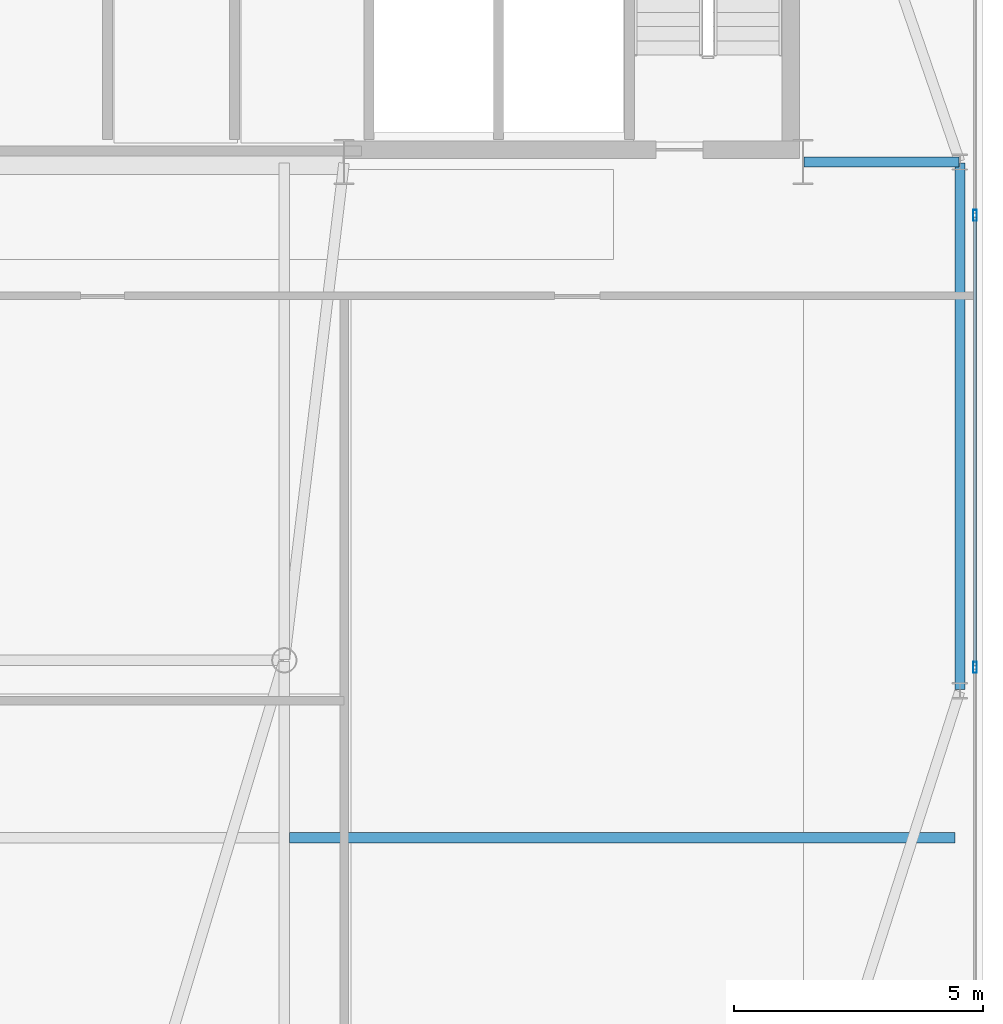
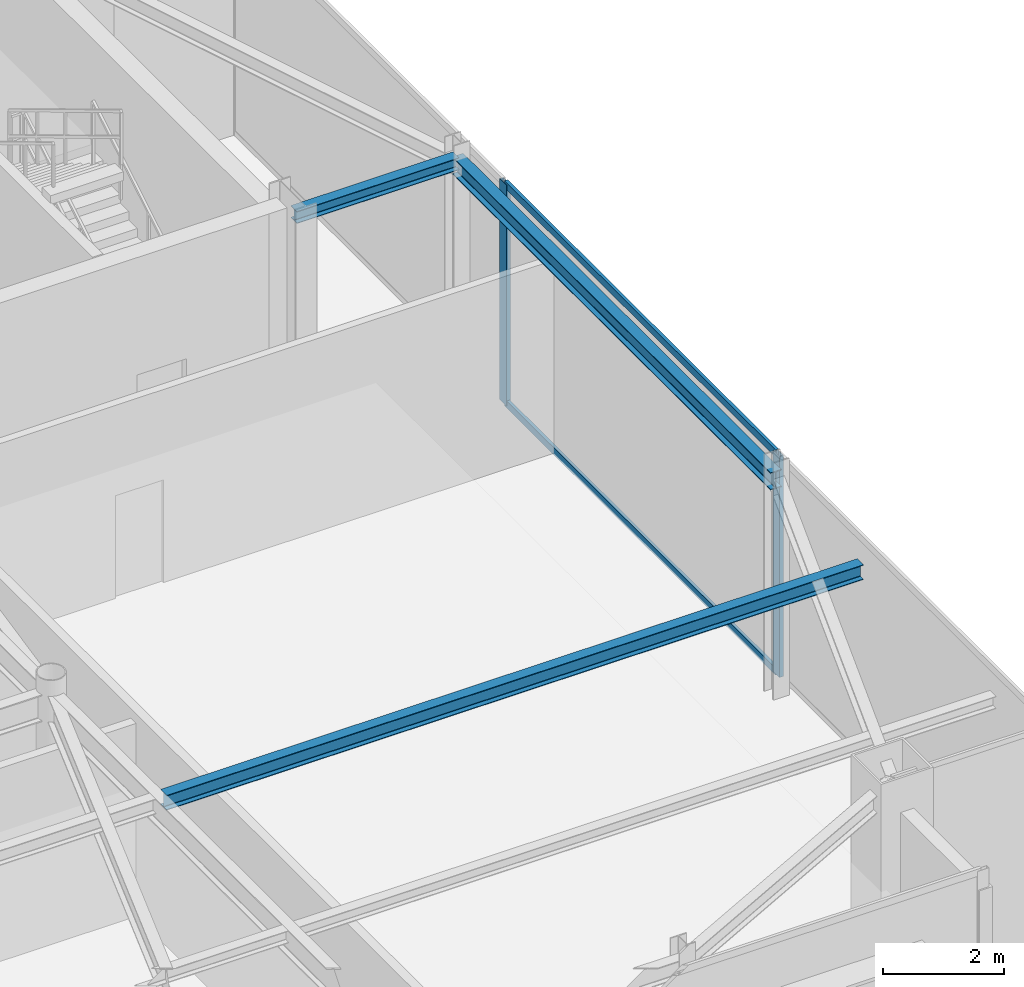
# One storey, part 15 of 20: 4 members, 3 beams, 1 element without a shape of its own.
"""IFC4 building model written with IfcOpenShell, lengths in metres."""

from ifc_helpers import new_model, si_unit, direction, frame, origin, origin_2d, place, context, subcontext, project, spatial, hollow_rectangle, i_section, extrude, source, transform, mapped, material, layer, layer_set, material_profile, profile_set, type_object, type_shapes, element, aggregate, save


model = new_model("IFC4")

# Units and contexts
model_context = context("Model", 3, precision=1e-05, world=origin(), true_north=direction((0.0, 1.0)))
body_context = subcontext(model_context, "Body", "Model", "MODEL_VIEW")
ifc_project = project(units=[si_unit("LENGTHUNIT", "METRE"), si_unit("AREAUNIT", "SQUARE_METRE"), si_unit("VOLUMEUNIT", "CUBIC_METRE"), si_unit("PLANEANGLEUNIT", "RADIAN"), si_unit("MASSUNIT", "GRAM", prefix="KILO")], contexts=[model_context])

# Site, building, storey
site_placement = place(None, origin())
site = spatial("IfcSite", under=ifc_project, at=site_placement, CompositionType="ELEMENT")
building_placement = place(site_placement, origin())
building = spatial("IfcBuilding", under=site, at=building_placement, Name="Varnel Quay Broadcast Tower", CompositionType="ELEMENT")
storey_placement = place(building_placement, frame((0.0, 0.0, 309.800048828125)))
storey = spatial("IfcBuildingStorey", under=building, at=storey_placement, Name="L77", CompositionType="ELEMENT", Elevation=309.800048828125)

# Beams
ifc_material_1 = material(Name="Structural Steel CSA G40.21 350W", Category="steel")
ifc_material_profile_1 = material_profile(ifc_material_1, i_section(OverallWidth=0.205078125, OverallDepth=0.35400390625, WebThickness=0.009521484375, FlangeThickness=0.016845703125, FilletRadius=0.012939453125, at=origin_2d()), Name="W360X79")
ifc_profile_set_1 = profile_set([ifc_material_profile_1], Name="Structural Steel CSA G40.21 350W")
beam_type_1 = type_object("IfcBeamType", Name="Beam_W360X79", PredefinedType="SPANDREL", material=ifc_profile_set_1)
shared_shape_1 = source(origin(), body_context, "Body", "SweptSolid", [
    extrude(i_section(OverallWidth=0.205078125, OverallDepth=0.35400390625, WebThickness=0.009521484375, FlangeThickness=0.016845703125, FilletRadius=0.012939453125, at=origin_2d()), origin(), (0.0, 0.0, 1.0), 10.56005859375),
])
type_shapes(beam_type_1, [shared_shape_1])
beam_1_placement = place(storey_placement, frame((55.550048828125, 25.02001953125, 4.302978515625), z_axis=(0.0, 1.0, 0.0), x_axis=(-1.0, 0.0, 0.0)))
element("IfcBeam", 1, at=beam_1_placement, inside=storey, type_object=beam_type_1, Name="L77 East Spandrel TC-E1-TC-E2", PredefinedType="SPANDREL", context=body_context, shape_type="MappedRepresentation", body=[
    mapped(shared_shape_1, transform((0.0, 0.0, 0.0), x_axis=(1.0, 0.0, 0.0), y_axis=(0.0, 1.0, 0.0), z_axis=(0.0, 0.0, 1.0), scale=1.0)),
])
ifc_material_profile_2 = material_profile(ifc_material_1, i_section(OverallWidth=0.201904296875, OverallDepth=0.2470703125, WebThickness=0.00732421875, FlangeThickness=0.010986328125, FilletRadius=0.010986328125, at=origin_2d()), Name="W250X49")
ifc_profile_set_2 = profile_set([ifc_material_profile_2], Name="Structural Steel CSA G40.21 350W")
beam_type_2 = type_object("IfcBeamType", Name="Beam_W250X49", PredefinedType="JOIST", material=ifc_profile_set_2)
shared_shape_2 = source(origin(), body_context, "Body", "SweptSolid", [
    extrude(i_section(OverallWidth=0.201904296875, OverallDepth=0.2470703125, WebThickness=0.00732421875, FlangeThickness=0.010986328125, FilletRadius=0.010986328125, at=origin_2d()), origin(), (0.0, 0.0, 1.0), 3.110107421875),
])
type_shapes(beam_type_2, [shared_shape_2])
beam_2_placement = place(storey_placement, frame((52.419921875, 35.60009765625, 4.3564453125), z_axis=(1.0, 0.0, 0.0), x_axis=(0.0, 1.0, 0.0)))
element("IfcBeam", 2, at=beam_2_placement, inside=storey, type_object=beam_type_2, Name="L77 East Core Tie Joist", PredefinedType="JOIST", context=body_context, shape_type="MappedRepresentation", body=[
    mapped(shared_shape_2, transform((0.0, 0.0, 0.0), x_axis=(1.0, 0.0, 0.0), y_axis=(0.0, 1.0, 0.0), z_axis=(0.0, 0.0, 1.0), scale=1.0)),
])
ifc_material_profile_3 = material_profile(ifc_material_1, i_section(OverallWidth=0.202880859375, OverallDepth=0.302978515625, WebThickness=0.007568359375, FlangeThickness=0.01318359375, FilletRadius=0.011962890625, at=origin_2d()), Name="W310X60")
ifc_profile_set_3 = profile_set([ifc_material_profile_3], Name="Structural Steel CSA G40.21 350W")
beam_type_3 = type_object("IfcBeamType", Name="Beam_W310X60", PredefinedType="JOIST", material=ifc_profile_set_3)
shared_shape_3 = source(origin(), body_context, "Body", "SweptSolid", [
    extrude(i_section(OverallWidth=0.202880859375, OverallDepth=0.302978515625, WebThickness=0.007568359375, FlangeThickness=0.01318359375, FilletRadius=0.011962890625, at=origin_2d()), origin(), (0.0, 0.0, 1.0), 13.351318359375),
])
type_shapes(beam_type_3, [shared_shape_3])
beam_3_placement = place(storey_placement, frame((42.10107421875, 22.050048828125, 4.328369140625), z_axis=(1.0, 0.0, 0.0), x_axis=(0.0, 1.0, 0.0)))
element("IfcBeam", 3, at=beam_3_placement, inside=storey, type_object=beam_type_3, Name="L77 East Floor Joist 2", PredefinedType="JOIST", context=body_context, shape_type="MappedRepresentation", body=[
    mapped(shared_shape_3, transform((0.0, 0.0, 0.0), x_axis=(1.0, 0.0, 0.0), y_axis=(0.0, 1.0, 0.0), z_axis=(0.0, 0.0, 1.0), scale=1.0)),
])

# Curtain wall, members
ifc_material_2 = material(Name="Anodised Bronze Aluminium 6063-T6", Category="aluminium")
ifc_layer = layer(ifc_material_2, 0.18994140625, Name="Anodised Bronze Aluminium 6063-T6")
ifc_layer_set = layer_set([ifc_layer], Name="Anodised Bronze Aluminium 6063-T6")
curtain_wall_type = type_object("IfcCurtainWallType", Name="CW_SkyObsHighVis", PredefinedType="NOTDEFINED", material=ifc_layer_set)
curtain_wall_placement = place(storey_placement, origin())
curtain_wall = element("IfcCurtainWall", 4, at=curtain_wall_placement, inside=storey, type_object=curtain_wall_type, Name="L77 East Unitised Curtain Wall", PredefinedType="NOTDEFINED")
ifc_material_profile_4 = material_profile(ifc_material_2, hollow_rectangle(XDim=0.06005859375, YDim=0.14501953125, WallThickness=0.00341796875, at=origin_2d()), Name="ALU60X145X3.5")
ifc_profile_set_4 = profile_set([ifc_material_profile_4], Name="Anodised Bronze Aluminium 6063-T6")
member_type_1 = type_object("IfcMemberType", Name="Tran_CWS-05", PredefinedType="USERDEFINED", material=ifc_profile_set_4)
shared_shape_4 = source(origin(), body_context, "Body", "SweptSolid", [
    extrude(hollow_rectangle(XDim=0.06005859375, YDim=0.14501953125, WallThickness=0.00341796875, at=origin_2d()), origin(), (0.0, 0.0, 1.0), 8.99169921875),
])
type_shapes(member_type_1, [shared_shape_4])
member_1_placement = place(storey_placement, frame((55.85009765625, 25.504150390625, 0.030029296875), z_axis=(0.0, 1.0, 0.0), x_axis=(-1.0, 0.0, 0.0)))
member_1 = element("IfcMember", 5, at=member_1_placement, type_object=member_type_1, Name="CWS-05 transom 2.1", ObjectType="TRANSOM", PredefinedType="USERDEFINED", context=body_context, shape_type="MappedRepresentation", body=[
    mapped(shared_shape_4, transform((0.0, 0.0, 0.0), x_axis=(1.0, 0.0, 0.0), y_axis=(0.0, 1.0, 0.0), z_axis=(0.0, 0.0, 1.0), scale=1.0)),
])
member_2_placement = place(storey_placement, frame((55.85009765625, 25.504150390625, 4.449951171875), z_axis=(0.0, 1.0, 0.0), x_axis=(-1.0, 0.0, 0.0)))
member_2 = element("IfcMember", 6, at=member_2_placement, type_object=member_type_1, Name="CWS-05 transom 2.2", ObjectType="TRANSOM", PredefinedType="USERDEFINED", context=body_context, shape_type="MappedRepresentation", body=[
    mapped(shared_shape_4, transform((0.0, 0.0, 0.0), x_axis=(1.0, 0.0, 0.0), y_axis=(0.0, 1.0, 0.0), z_axis=(0.0, 0.0, 1.0), scale=1.0)),
])
ifc_material_profile_5 = material_profile(ifc_material_2, hollow_rectangle(XDim=0.074951171875, YDim=0.219970703125, WallThickness=0.00390625, at=origin_2d()), Name="ALU75X220X4")
ifc_profile_set_5 = profile_set([ifc_material_profile_5], Name="Anodised Bronze Aluminium 6063-T6")
member_type_2 = type_object("IfcMemberType", Name="Mull_CWS-05", PredefinedType="MULLION", material=ifc_profile_set_5)
shared_shape_5 = source(origin(), body_context, "Body", "SweptSolid", [
    extrude(hollow_rectangle(XDim=0.074951171875, YDim=0.219970703125, WallThickness=0.00390625, at=origin_2d()), origin(), (0.0, 0.0, 1.0), 4.47998046875),
])
type_shapes(member_type_2, [shared_shape_5])
member_3_placement = place(storey_placement, frame((55.85009765625, 25.466552734375, 0.0), z_axis=(0.0, 0.0, 1.0), x_axis=(-1.0, 0.0, 0.0)))
member_3 = element("IfcMember", 7, at=member_3_placement, type_object=member_type_2, Name="CWS-05 mullion 2", PredefinedType="MULLION", context=body_context, shape_type="MappedRepresentation", body=[
    mapped(shared_shape_5, transform((0.0, 0.0, 0.0), x_axis=(1.0, 0.0, 0.0), y_axis=(0.0, 1.0, 0.0), z_axis=(0.0, 0.0, 1.0), scale=1.0)),
])
member_4_placement = place(storey_placement, frame((55.85009765625, 34.533447265625, 0.0), z_axis=(0.0, 0.0, 1.0), x_axis=(-1.0, 0.0, 0.0)))
member_4 = element("IfcMember", 8, at=member_4_placement, type_object=member_type_2, Name="CWS-05 mullion 3", PredefinedType="MULLION", context=body_context, shape_type="MappedRepresentation", body=[
    mapped(shared_shape_5, transform((0.0, 0.0, 0.0), x_axis=(1.0, 0.0, 0.0), y_axis=(0.0, 1.0, 0.0), z_axis=(0.0, 0.0, 1.0), scale=1.0)),
])
aggregate(curtain_wall, [member_3, member_4, member_1, member_2])

save(model, "model.ifc")
